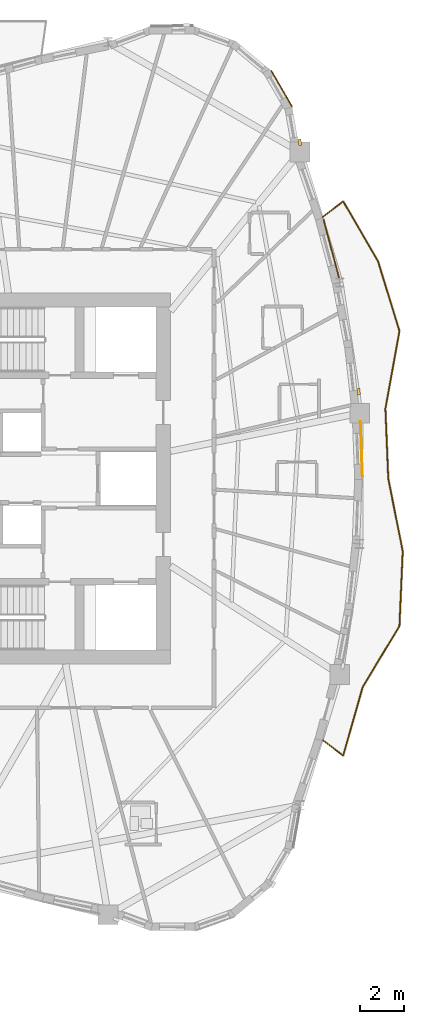
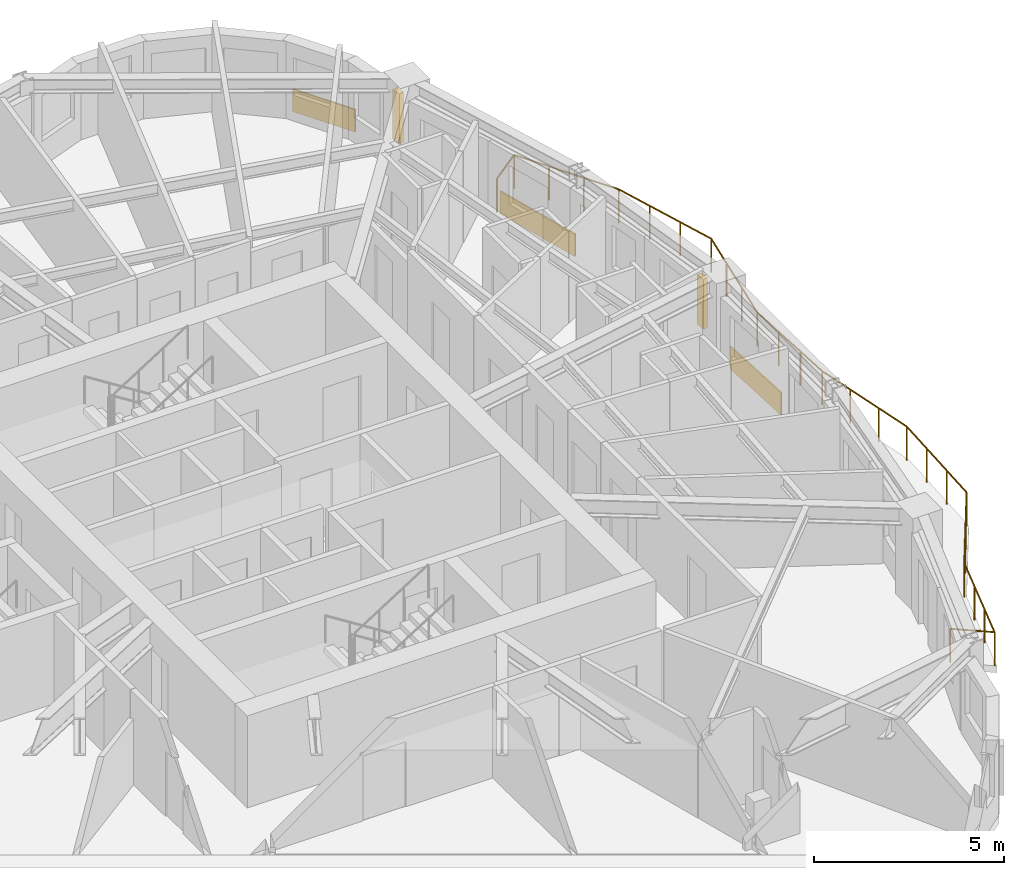
# One storey, part 16 of 17: 3 coverings, 2 shading devices, 1 railing.
"""IFC4 building model written with IfcOpenShell, lengths in metres."""

from ifc_helpers import new_model, si_unit, direction, frame, origin, origin_2d, place, context, subcontext, project, spatial, rectangle, circle, extrude, source, transform, mapped, material, layer, layer_set, type_object, element, save


model = new_model("IFC4")

# Units and contexts
model_context = context("Model", 3, precision=1e-05, world=origin(), true_north=direction((0.0, 1.0)))
body_context = subcontext(model_context, "Body", "Model", "MODEL_VIEW")
ifc_project = project(units=[si_unit("LENGTHUNIT", "METRE"), si_unit("AREAUNIT", "SQUARE_METRE"), si_unit("VOLUMEUNIT", "CUBIC_METRE"), si_unit("PLANEANGLEUNIT", "RADIAN"), si_unit("MASSUNIT", "GRAM", prefix="KILO")], contexts=[model_context])

# Site, building, storey
site_placement = place(None, origin())
site = spatial("IfcSite", under=ifc_project, at=site_placement, CompositionType="ELEMENT")
building_placement = place(site_placement, origin())
building = spatial("IfcBuilding", under=site, at=building_placement, Name="Qafzar Sky-Pleat Residences", CompositionType="ELEMENT")
storey_placement = place(building_placement, frame((0.0, 0.0, 115.199951171875)))
storey = spatial("IfcBuildingStorey", under=building, at=storey_placement, Name="L34", CompositionType="ELEMENT", Elevation=115.199951171875)

# Shading devices
ifc_material_1 = material(Name="Honed Riyadh limestone solar fin", Category="masonry")
ifc_layer_1 = layer(ifc_material_1, 0.139892578125)
ifc_layer_set_1 = layer_set([ifc_layer_1], Name="Honed Riyadh limestone solar fin")
shading_device_type = type_object("IfcShadingDeviceType", Name="SHD-FIN-STONE", PredefinedType="SHUTTER", material=ifc_layer_set_1)
shared_shape_1 = source(origin(), body_context, "Body", "SweptSolid", [
    extrude(rectangle(XDim=0.139892578125, YDim=0.280029296875, at=origin_2d()), origin(), (0.0, 0.0, 1.0), 1.60009765625),
])
for number, where, z_axis, x_axis, name in (
    (1, (45.1171875, 29.951904296875, 0.60009765625), (0.0, 0.0, 1.0), (0.993563207002, 0.113279096445, 0.0), "L34 Limestone Solar Fin 29"),
    (2, (42.439453125, 41.3076171875, 0.60009765625), (0.0, 0.0, 1.0), (0.984675881773, 0.174394403163, 0.0), "L34 Limestone Solar Fin 33"),
):
    element("IfcShadingDevice", number, at=place(storey_placement, frame(where, z_axis=z_axis, x_axis=x_axis)), inside=storey, type_object=shading_device_type, Name=name, PredefinedType="SHUTTER", context=body_context, shape_type="MappedRepresentation", body=[
        mapped(shared_shape_1, transform((0.0, 0.0, 0.0), x_axis=(1.0, 0.0, 0.0), y_axis=(0.0, 1.0, 0.0), z_axis=(0.0, 0.0, 1.0), scale=1.0)),
    ])

# Covering
ifc_material_2 = material(Name="Honed Riyadh Tuwaiq limestone cladding", Category="masonry")
ifc_layer_2 = layer(ifc_material_2, 0.044921875)
ifc_layer_set_2 = layer_set([ifc_layer_2], Name="Honed Riyadh Tuwaiq limestone cladding")
covering_type = type_object("IfcCoveringType", Name="COV-CLAD-STONE", PredefinedType="CLADDING", material=ifc_layer_set_2)
shared_shape_2 = source(origin(), body_context, "Body", "SweptSolid", [
    extrude(rectangle(XDim=1.88916015625, YDim=0.044921875, at=origin_2d()), origin(), (0.0, 0.0, 1.0), 0.719970703125),
])
covering_1_placement = place(storey_placement, frame((41.6083984375, 43.75341796875, 0.02001953125), z_axis=(0.0, 0.0, 1.0), x_axis=(-0.50197689344, 0.864881031387, 0.0)))
element("IfcCovering", 3, at=covering_1_placement, inside=storey, type_object=covering_type, Name="L34 Riyadh Limestone Spandrel Cladding 34", PredefinedType="CLADDING", context=body_context, shape_type="MappedRepresentation", body=[
    mapped(shared_shape_2, transform((0.0, 0.0, 0.0), x_axis=(1.0, 0.0, 0.0), y_axis=(0.0, 1.0, 0.0), z_axis=(0.0, 0.0, 1.0), scale=1.0)),
])

# Railing
ifc_material_3 = material(Name="Laminated glass and bronze steel balustrade", Category="steel")
railing_type = type_object("IfcRailingType", Name="RAIL-BAL-1100", PredefinedType="BALUSTRADE", material=ifc_material_3)
shared_shape_3 = source(origin(), body_context, "Body", "SweptSolid", [
    extrude(circle(Radius=0.02392578125, at=origin_2d()), frame((0.0, 0.0, 1.076171875), z_axis=(0.792577756925, -0.609770857969, 0.0), x_axis=(0.609770857969, 0.792577756925, 0.0)), (0.0, 0.0, 1.0), 1.177978515625),
    extrude(circle(Radius=0.02392578125, at=origin_2d()), frame((0.93359375, -0.71826171875, 1.076171875), z_axis=(0.27403703855, 0.961719138576, 0.0), x_axis=(-0.961719138576, 0.27403703855, 0.0)), (0.0, 0.0, 1.0), 3.252685546875),
    extrude(circle(Radius=0.02392578125, at=origin_2d()), frame((1.824951171875, 2.409912109375, 1.076171875), z_axis=(0.515058919709, 0.857154775538, 0.0), x_axis=(-0.857154775538, 0.515058919709, 0.0)), (0.0, 0.0, 1.0), 3.250732421875),
    extrude(circle(Radius=0.02392578125, at=origin_2d()), frame((3.499267578125, 5.1962890625, 1.076171875), z_axis=(0.043446573451, 0.999055751825, 0.0), x_axis=(-0.999055751825, 0.043446573451, 0.0)), (0.0, 0.0, 1.0), 3.399658203125),
    extrude(circle(Radius=0.02392578125, at=origin_2d()), frame((3.64697265625, 8.5927734375, 1.076171875), z_axis=(-0.194615528867, 0.980879603175, 0.0), x_axis=(-0.980879603175, -0.194615528867, 0.0)), (0.0, 0.0, 1.0), 3.379638671875),
    extrude(circle(Radius=0.02392578125, at=origin_2d()), frame((2.9892578125, 11.90771484375, 1.076171875), z_axis=(-0.041059132366, 0.999156718263, 0.0), x_axis=(-0.999156718263, -0.041059132366, 0.0)), (0.0, 0.0, 1.0), 3.18115234375),
    extrude(circle(Radius=0.02392578125, at=origin_2d()), frame((2.858642578125, 15.086181640625, 1.076171875), z_axis=(0.178418700862, 0.983954657077, 0.0), x_axis=(-0.983954657077, 0.178418700862, 0.0)), (0.0, 0.0, 1.0), 3.590576171875),
    extrude(circle(Radius=0.02392578125, at=origin_2d()), frame((3.499267578125, 18.619140625, 1.076171875), z_axis=(-0.293284134593, 0.956025322048, 0.0), x_axis=(-0.956025322048, -0.293284134593, 0.0)), (0.0, 0.0, 1.0), 3.3173828125),
    extrude(circle(Radius=0.02392578125, at=origin_2d()), frame((2.5263671875, 21.79052734375, 1.076171875), z_axis=(-0.502128090271, 0.864793259086, 0.0), x_axis=(-0.864793259086, -0.502128090271, 0.0)), (0.0, 0.0, 1.0), 3.172119140625),
    extrude(circle(Radius=0.02392578125, at=origin_2d()), frame((0.93359375, 24.53369140625, 1.076171875), z_axis=(-0.792577756925, -0.609770857969, 0.0), x_axis=(0.609770857969, -0.792577756925, 0.0)), (0.0, 0.0, 1.0), 1.177978515625),
    extrude(circle(Radius=0.02099609375, at=origin_2d()), origin(), (0.0, 0.0, 1.0), 1.052001953125),
    extrude(circle(Radius=0.02099609375, at=origin_2d()), frame((0.93359375, -0.71826171875, 0.0)), (0.0, 0.0, 1.0), 1.052001953125),
    extrude(circle(Radius=0.02099609375, at=origin_2d()), frame((1.230712890625, 0.324462890625, 0.0)), (0.0, 0.0, 1.0), 1.052001953125),
    extrude(circle(Radius=0.02099609375, at=origin_2d()), frame((1.52783203125, 1.3671875, 0.0)), (0.0, 0.0, 1.0), 1.052001953125),
    extrude(circle(Radius=0.02099609375, at=origin_2d()), frame((1.824951171875, 2.409912109375, 0.0)), (0.0, 0.0, 1.0), 1.052001953125),
    extrude(circle(Radius=0.02099609375, at=origin_2d()), frame((2.383056640625, 3.338623046875, 0.0)), (0.0, 0.0, 1.0), 1.052001953125),
    extrude(circle(Radius=0.02099609375, at=origin_2d()), frame((2.941162109375, 4.267578125, 0.0)), (0.0, 0.0, 1.0), 1.052001953125),
    extrude(circle(Radius=0.02099609375, at=origin_2d()), frame((3.499267578125, 5.1962890625, 0.0)), (0.0, 0.0, 1.0), 1.052001953125),
    extrude(circle(Radius=0.02099609375, at=origin_2d()), frame((3.548583984375, 6.328369140625, 0.0)), (0.0, 0.0, 1.0), 1.052001953125),
    extrude(circle(Radius=0.02099609375, at=origin_2d()), frame((3.59765625, 7.460693359375, 0.0)), (0.0, 0.0, 1.0), 1.052001953125),
    extrude(circle(Radius=0.02099609375, at=origin_2d()), frame((3.64697265625, 8.5927734375, 0.0)), (0.0, 0.0, 1.0), 1.052001953125),
    extrude(circle(Radius=0.02099609375, at=origin_2d()), frame((3.427734375, 9.69775390625, 0.0)), (0.0, 0.0, 1.0), 1.052001953125),
    extrude(circle(Radius=0.02099609375, at=origin_2d()), frame((3.20849609375, 10.802734375, 0.0)), (0.0, 0.0, 1.0), 1.052001953125),
    extrude(circle(Radius=0.02099609375, at=origin_2d()), frame((2.9892578125, 11.90771484375, 0.0)), (0.0, 0.0, 1.0), 1.052001953125),
    extrude(circle(Radius=0.02099609375, at=origin_2d()), frame((2.94580078125, 12.96728515625, 0.0)), (0.0, 0.0, 1.0), 1.052001953125),
    extrude(circle(Radius=0.02099609375, at=origin_2d()), frame((2.902099609375, 14.026611328125, 0.0)), (0.0, 0.0, 1.0), 1.052001953125),
    extrude(circle(Radius=0.02099609375, at=origin_2d()), frame((2.858642578125, 15.086181640625, 0.0)), (0.0, 0.0, 1.0), 1.052001953125),
    extrude(circle(Radius=0.02099609375, at=origin_2d()), frame((3.072265625, 16.263916015625, 0.0)), (0.0, 0.0, 1.0), 1.052001953125),
    extrude(circle(Radius=0.02099609375, at=origin_2d()), frame((3.28564453125, 17.44140625, 0.0)), (0.0, 0.0, 1.0), 1.052001953125),
    extrude(circle(Radius=0.02099609375, at=origin_2d()), frame((3.499267578125, 18.619140625, 0.0)), (0.0, 0.0, 1.0), 1.052001953125),
    extrude(circle(Radius=0.02099609375, at=origin_2d()), frame((3.175048828125, 19.67626953125, 0.0)), (0.0, 0.0, 1.0), 1.052001953125),
    extrude(circle(Radius=0.02099609375, at=origin_2d()), frame((2.8505859375, 20.7333984375, 0.0)), (0.0, 0.0, 1.0), 1.052001953125),
    extrude(circle(Radius=0.02099609375, at=origin_2d()), frame((2.5263671875, 21.79052734375, 0.0)), (0.0, 0.0, 1.0), 1.052001953125),
    extrude(circle(Radius=0.02099609375, at=origin_2d()), frame((1.995361328125, 22.704833984375, 0.0)), (0.0, 0.0, 1.0), 1.052001953125),
    extrude(circle(Radius=0.02099609375, at=origin_2d()), frame((1.464599609375, 23.619384765625, 0.0)), (0.0, 0.0, 1.0), 1.052001953125),
    extrude(circle(Radius=0.02099609375, at=origin_2d()), frame((0.93359375, 24.53369140625, 0.0)), (0.0, 0.0, 1.0), 1.052001953125),
    extrude(circle(Radius=0.02099609375, at=origin_2d()), frame((0.0, 23.8154296875, 0.0)), (0.0, 0.0, 1.0), 1.052001953125),
])
railing_placement = place(storey_placement, frame((43.47705078125, 14.09228515625, 0.0)))
element("IfcRailing", 4, at=railing_placement, inside=storey, type_object=railing_type, Name="L34 Pleated Balcony 1 Balustrade", PredefinedType="BALUSTRADE", context=body_context, shape_type="MappedRepresentation", body=[
    mapped(shared_shape_3, transform((0.0, 0.0, 0.0), x_axis=(1.0, 0.0, 0.0), y_axis=(0.0, 1.0, 0.0), z_axis=(0.0, 0.0, 1.0), scale=1.0)),
])

# Coverings
shared_shape_4 = source(origin(), body_context, "Body", "SweptSolid", [
    extrude(rectangle(XDim=2.506591796875, YDim=0.044921875, at=origin_2d()), origin(), (0.0, 0.0, 1.0), 0.719970703125),
])
covering_2_placement = place(storey_placement, frame((45.246826171875, 27.3544921875, 0.02001953125), z_axis=(0.0, 0.0, 1.0), x_axis=(-0.037950508704, 0.999279619971, 0.0)))
element("IfcCovering", 5, at=covering_2_placement, inside=storey, type_object=covering_type, Name="L34 Riyadh Limestone Spandrel Cladding 28", PredefinedType="CLADDING", context=body_context, shape_type="MappedRepresentation", body=[
    mapped(shared_shape_4, transform((0.0, 0.0, 0.0), x_axis=(1.0, 0.0, 0.0), y_axis=(0.0, 1.0, 0.0), z_axis=(0.0, 0.0, 1.0), scale=1.0)),
])
shared_shape_5 = source(origin(), body_context, "Body", "SweptSolid", [
    extrude(rectangle(XDim=2.786865234375, YDim=0.044921875, at=origin_2d()), origin(), (0.0, 0.0, 1.0), 0.719970703125),
])
covering_3_placement = place(storey_placement, frame((43.876953125, 36.446533203125, 0.02001953125), z_axis=(0.0, 0.0, 1.0), x_axis=(-0.257089761456, 0.966387528145, 0.0)))
element("IfcCovering", 6, at=covering_3_placement, inside=storey, type_object=covering_type, Name="L34 Riyadh Limestone Spandrel Cladding 31", PredefinedType="CLADDING", context=body_context, shape_type="MappedRepresentation", body=[
    mapped(shared_shape_5, transform((0.0, 0.0, 0.0), x_axis=(1.0, 0.0, 0.0), y_axis=(0.0, 1.0, 0.0), z_axis=(0.0, 0.0, 1.0), scale=1.0)),
])

save(model, "model.ifc")
